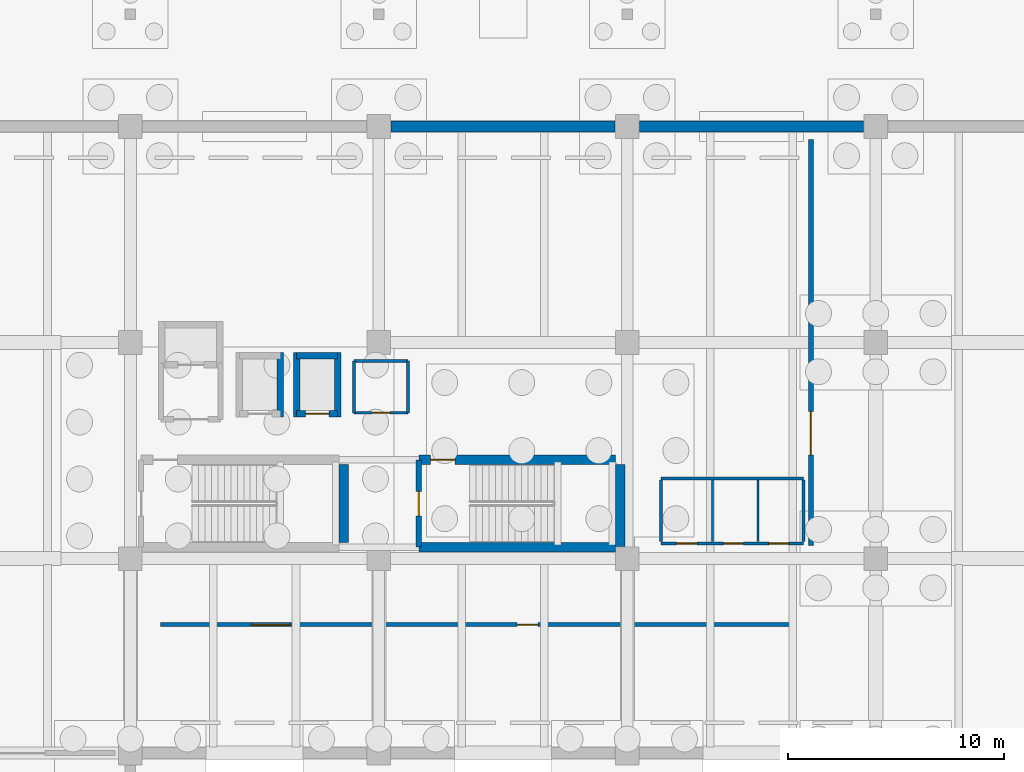
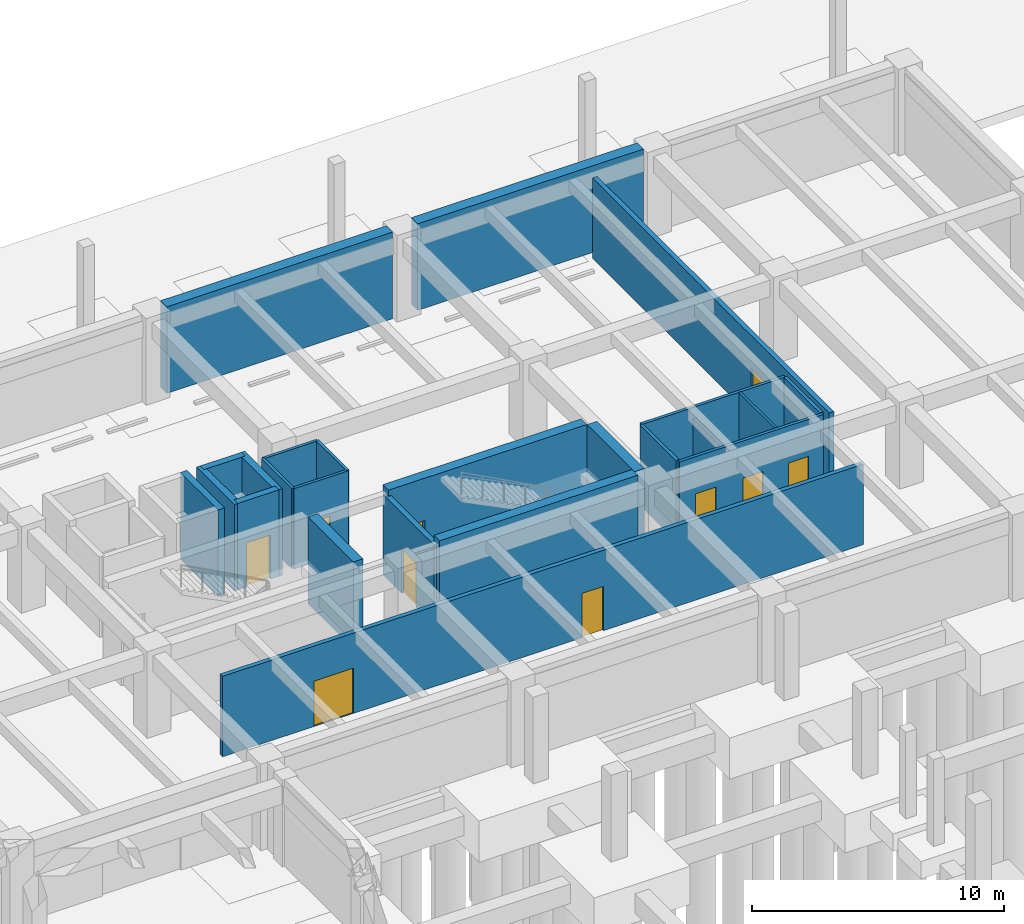
# One storey, part 20 of 28: 24 walls, 10 doors, 10 openings.
"""IFC4 building model written with IfcOpenShell, lengths in metres."""

from ifc_helpers import new_model, si_unit, direction, frame, frame_2d, origin, place, context, subcontext, project, spatial, rectangle, extrude, material, layer, layer_set, type_object, element, fill, save


model = new_model("IFC4")

# Units and contexts
model_context = context("Model", 3, precision=1e-05, world=origin(), true_north=direction((0.0, 1.0)))
body_context = subcontext(model_context, "Body", "Model", "MODEL_VIEW")
ifc_project = project(units=[si_unit("LENGTHUNIT", "METRE"), si_unit("AREAUNIT", "SQUARE_METRE"), si_unit("VOLUMEUNIT", "CUBIC_METRE"), si_unit("PLANEANGLEUNIT", "RADIAN"), si_unit("MASSUNIT", "GRAM", prefix="KILO")], contexts=[model_context])

# Site, building, storey
site_placement = place(None, origin())
site = spatial("IfcSite", under=ifc_project, at=site_placement, CompositionType="ELEMENT")
building_placement = place(site_placement, origin())
building = spatial("IfcBuilding", under=site, at=building_placement, Name="Ologun Quay Terminus", CompositionType="ELEMENT")
storey_placement = place(building_placement, frame((0.0, 0.0, -8.39990234375)))
storey = spatial("IfcBuildingStorey", under=building, at=storey_placement, Name="B02", CompositionType="ELEMENT", Elevation=-8.39990234375)

# Walls
ifc_material_1 = material(Name="Concrete C35/45", Category="concrete")
ifc_layer_1 = layer(ifc_material_1, 0.5)
ifc_layer_set_1 = layer_set([ifc_layer_1], Name="Concrete C35/45")
wall_type_1 = type_object("IfcWallType", Name="Basement Perimeter Retaining Wall 500", PredefinedType="SHEAR", material=ifc_layer_set_1)
for number, where, z_axis, x_axis, name in (
    (1, (35.070068359375, 114.800048828125, 0.0), (0.0, 0.0, 1.0), (1.0, 0.0, 0.0), "Retaining Wall NW-4 B02"),
    (2, (46.570068359375, 114.800048828125, 0.0), (0.0, 0.0, 1.0), (1.0, 0.0, 0.0), "Retaining Wall NW-5 B02"),
):
    element("IfcWall", number, at=place(storey_placement, frame(where, z_axis=z_axis, x_axis=x_axis)), inside=storey, type_object=wall_type_1, Name=name, PredefinedType="SHEAR", context=body_context, shape_type="SweptSolid", body=[
        extrude(rectangle(XDim=10.35986328125, YDim=0.5, at=frame_2d((5.179931640625, 0.0))), origin(), (0.0, 0.0, 1.0), 4.199951171875),
    ])

# Wall, openings, doors
ifc_material_2 = material(Name="Concrete C40/50", Category="concrete")
ifc_layer_2 = layer(ifc_material_2, 0.199951171875)
ifc_layer_set_2 = layer_set([ifc_layer_2], Name="Concrete C40/50")
wall_type_2 = type_object("IfcWallType", Name="Corridor Fire-Rated Partition 200", PredefinedType="PARTITIONING", material=ifc_layer_set_2)
wall_1_placement = place(storey_placement, frame((24.39990234375, 91.75, 0.0), z_axis=(0.0, 0.0, 1.0), x_axis=(1.0, 0.0, 0.0)))
wall_1 = element("IfcWall", 3, at=wall_1_placement, inside=storey, type_object=wall_type_2, Name="PW-02 Partition WCor-S", PredefinedType="PARTITIONING", context=body_context, shape_type="SweptSolid", body=[
    extrude(rectangle(XDim=29.400146484375, YDim=0.199951171875, at=frame_2d((14.7001953125, 0.0))), origin(), (0.0, 0.0, 1.0), 3.89990234375),
])
opening_1_placement = place(wall_1_placement, frame((4.199951171875, 0.0, 0.0)))
opening_1 = element("IfcOpeningElement", 4, at=opening_1_placement, cuts=wall_1, Name="Opening ID-075", PredefinedType="OPENING", context=body_context, shape_type="SweptSolid", body=[
    extrude(rectangle(XDim=1.800048828125, YDim=2.199951171875, at=frame_2d((0.89990234375, 1.10009765625))), frame((0.0, 0.10986328125, 0.0), z_axis=(0.0, -1.0, 0.0), x_axis=(1.0, 0.0, 0.0)), (0.0, 0.0, 1.0), 0.219970703125),
])
opening_2_placement = place(wall_1_placement, frame((16.5, 0.0, 0.0)))
opening_2 = element("IfcOpeningElement", 5, at=opening_2_placement, cuts=wall_1, Name="Opening ID-076", PredefinedType="OPENING", context=body_context, shape_type="SweptSolid", body=[
    extrude(rectangle(XDim=0.97998046875, YDim=2.14990234375, at=frame_2d((0.489990234375, 1.074951171875))), frame((0.0, 0.10986328125, 0.0), z_axis=(0.0, -1.0, 0.0), x_axis=(1.0, 0.0, 0.0)), (0.0, 0.0, 1.0), 0.219970703125),
])
ifc_material_3 = material(Name="Steel S355", Category="steel")
door_type_1 = type_object("IfcDoorType", Name="Corridor Compartment Pair 1800x2200", OperationType="DOUBLE_DOOR_SINGLE_SWING", PredefinedType="DOOR", material=ifc_material_3)
door_1_placement = place(opening_1_placement, origin())
door_1 = element("IfcDoor", 6, at=door_1_placement, inside=storey, type_object=door_type_1, Name="FD-03 Door ID-075", OperationType="DOUBLE_DOOR_SINGLE_SWING", OverallHeight=2.199951171875, OverallWidth=1.800048828125, PredefinedType="DOOR", context=body_context, shape_type="SweptSolid", body=[
    extrude(rectangle(XDim=1.800048828125, YDim=2.199951171875, at=frame_2d((0.89990234375, 1.10009765625))), frame((0.0, 0.02490234375, 0.0), z_axis=(0.0, -1.0, 0.0), x_axis=(1.0, 0.0, 0.0)), (0.0, 0.0, 1.0), 0.050048828125),
])
fill(opening_1, door_1)
ifc_material_4 = material(Name="Timber Hardwood", Category="wood")
door_type_2 = type_object("IfcDoorType", Name="Operations Room Acoustic Leaf 980x2150", OperationType="SINGLE_SWING_LEFT", PredefinedType="DOOR", material=ifc_material_4)
door_2_placement = place(opening_2_placement, origin())
door_2 = element("IfcDoor", 7, at=door_2_placement, inside=storey, type_object=door_type_2, Name="ID-01 Door ID-076", OperationType="SINGLE_SWING_LEFT", OverallHeight=2.14990234375, OverallWidth=0.97998046875, PredefinedType="DOOR", context=body_context, shape_type="SweptSolid", body=[
    extrude(rectangle(XDim=0.97998046875, YDim=2.14990234375, at=frame_2d((0.489990234375, 1.074951171875))), frame((0.0, 0.02490234375, 0.0), z_axis=(0.0, -1.0, 0.0), x_axis=(1.0, 0.0, 0.0)), (0.0, 0.0, 1.0), 0.050048828125),
])
fill(opening_2, door_2)

# Walls
ifc_material_5 = material(Name="Concrete C45/55", Category="concrete")
ifc_layer_3 = layer(ifc_material_5, 0.449951171875)
ifc_layer_set_3 = layer_set([ifc_layer_3], Name="Concrete C45/55")
wall_type_3 = type_object("IfcWallType", Name="Coupled Wing Primary Core Shear Wall 450", PredefinedType="SHEAR", material=ifc_layer_set_3)
wall_2_placement = place(storey_placement, frame((32.875, 95.550048828125, 0.0), z_axis=(0.0, 0.0, 1.0), x_axis=(0.0, 1.0, 0.0)))
element("IfcWall", 8, at=wall_2_placement, inside=storey, type_object=wall_type_3, Name="WC1 Core East Shear Wall B02", PredefinedType="SHEAR", context=body_context, shape_type="SweptSolid", body=[
    extrude(rectangle(XDim=3.599853515625, YDim=0.449951171875, at=frame_2d((1.7998046875, 0.0))), origin(), (0.0, 0.0, 1.0), 4.199951171875),
])
wall_3_placement = place(storey_placement, frame((36.35009765625, 95.324951171875, 0.0), z_axis=(0.0, 0.0, 1.0), x_axis=(1.0, 0.0, 0.0)))
element("IfcWall", 9, at=wall_3_placement, inside=storey, type_object=wall_type_3, Name="WC2 Core South Shear Wall B02", PredefinedType="SHEAR", context=body_context, shape_type="SweptSolid", body=[
    extrude(rectangle(XDim=9.099853515625, YDim=0.449951171875, at=frame_2d((4.5498046875, 0.0))), origin(), (0.0, 0.0, 1.0), 4.199951171875),
])

# Wall, opening, door
wall_4_placement = place(storey_placement, frame((36.35009765625, 99.375, 0.0), z_axis=(0.0, 0.0, 1.0), x_axis=(1.0, 0.0, 0.0)))
wall_4 = element("IfcWall", 10, at=wall_4_placement, inside=storey, type_object=wall_type_3, Name="WC2 Core North Shear Wall B02", PredefinedType="SHEAR", context=body_context, shape_type="SweptSolid", body=[
    extrude(rectangle(XDim=9.099853515625, YDim=0.449951171875, at=frame_2d((4.5498046875, 0.0))), origin(), (0.0, 0.0, 1.0), 4.199951171875),
])
opening_3_placement = place(wall_4_placement, frame((0.550048828125, 0.0, 0.0)))
opening_3 = element("IfcOpeningElement", 11, at=opening_3_placement, cuts=wall_4, Name="Opening ID-069", PredefinedType="OPENING", context=body_context, shape_type="SweptSolid", body=[
    extrude(rectangle(XDim=1.1298828125, YDim=2.14990234375, at=frame_2d((0.56494140625, 1.074951171875))), frame((0.0, 0.23486328125, 0.0), z_axis=(0.0, -1.0, 0.0), x_axis=(1.0, 0.0, 0.0)), (0.0, 0.0, 1.0), 0.469970703125),
])
ifc_material_6 = material(Name="Steel S355", Category="steel")
door_type_3 = type_object("IfcDoorType", Name="Stairwell Fire Escape Door 1130x2150", OperationType="SINGLE_SWING_LEFT", PredefinedType="DOOR", material=ifc_material_6)
door_3_placement = place(opening_3_placement, frame((0.56494140625, 0.0, 0.0), z_axis=(0.0, 0.0, 1.0), x_axis=(-1.0, 0.0, 0.0)))
door_3 = element("IfcDoor", 12, at=door_3_placement, inside=storey, type_object=door_type_3, Name="FD-01 Door ID-069", OperationType="SINGLE_SWING_LEFT", OverallHeight=2.14990234375, OverallWidth=1.1298828125, PredefinedType="DOOR", context=body_context, shape_type="SweptSolid", body=[
    extrude(rectangle(XDim=1.1298828125, YDim=2.14990234375, at=frame_2d((0.0, 1.074951171875))), frame((0.0, 0.02490234375, 0.0), z_axis=(0.0, -1.0, 0.0), x_axis=(1.0, 0.0, 0.0)), (0.0, 0.0, 1.0), 0.050048828125),
])
fill(opening_3, door_3)

# Wall
wall_5_placement = place(storey_placement, frame((45.675048828125, 95.3701171875, 0.0), z_axis=(0.0, 0.0, 1.0), x_axis=(0.0, 1.0, 0.0)))
element("IfcWall", 13, at=wall_5_placement, inside=storey, type_object=wall_type_3, Name="WC2 Core East Shear Wall B02", PredefinedType="SHEAR", context=body_context, shape_type="SweptSolid", body=[
    extrude(rectangle(XDim=3.77978515625, YDim=0.449951171875, at=frame_2d((1.889892578125, 0.0))), origin(), (0.0, 0.0, 1.0), 4.199951171875),
])

# Wall, opening, door
ifc_material_7 = material(Name="Concrete C40/50", Category="concrete")
ifc_layer_4 = layer(ifc_material_7, 0.239990234375)
ifc_layer_set_4 = layer_set([ifc_layer_4], Name="Concrete C40/50")
wall_type_4 = type_object("IfcWallType", Name="Fire Compartment Blockwork Wall 240", PredefinedType="SOLIDWALL", material=ifc_layer_set_4)
wall_6_placement = place(storey_placement, frame((36.35009765625, 95.330078125, 0.0), z_axis=(0.0, 0.0, 1.0), x_axis=(0.0, 1.0, 0.0)))
wall_6 = element("IfcWall", 14, at=wall_6_placement, inside=storey, type_object=wall_type_4, Name="PW-01 Partition WStair2-W", PredefinedType="SOLIDWALL", context=body_context, shape_type="SweptSolid", body=[
    extrude(rectangle(XDim=4.0400390625, YDim=0.239990234375, at=frame_2d((2.02001953125, 0.0))), origin(), (0.0, 0.0, 1.0), 3.89990234375),
])
opening_4_placement = place(wall_6_placement, frame((1.449951171875, 0.0, 0.0)))
opening_4 = element("IfcOpeningElement", 15, at=opening_4_placement, cuts=wall_6, Name="Opening ID-068", PredefinedType="OPENING", context=body_context, shape_type="SweptSolid", body=[
    extrude(rectangle(XDim=1.1298828125, YDim=2.14990234375, at=frame_2d((0.56494140625, 1.074951171875))), frame((0.0, 0.1298828125, 0.0), z_axis=(0.0, -1.0, 0.0), x_axis=(1.0, 0.0, 0.0)), (0.0, 0.0, 1.0), 0.260009765625),
])
door_4_placement = place(opening_4_placement, frame((0.56494140625, 0.0, 0.0), z_axis=(0.0, 0.0, 1.0), x_axis=(-1.0, 0.0, 0.0)))
door_4 = element("IfcDoor", 16, at=door_4_placement, inside=storey, type_object=door_type_3, Name="FD-01 Door ID-068", OperationType="SINGLE_SWING_LEFT", OverallHeight=2.14990234375, OverallWidth=1.1298828125, PredefinedType="DOOR", context=body_context, shape_type="SweptSolid", body=[
    extrude(rectangle(XDim=1.1298828125, YDim=2.14990234375, at=frame_2d((0.0, 1.074951171875))), frame((0.0, 0.02490234375, 0.0), z_axis=(0.0, -1.0, 0.0), x_axis=(1.0, 0.0, 0.0)), (0.0, 0.0, 1.0), 0.050048828125),
])
fill(opening_4, door_4)

# Wall
ifc_material_8 = material(Name="Concrete C40/50", Category="concrete")
ifc_layer_5 = layer(ifc_material_8, 0.300048828125)
ifc_layer_set_5 = layer_set([ifc_layer_5], Name="Concrete C40/50")
wall_type_5 = type_object("IfcWallType", Name="Lift Shaft Structural Shear Wall 300", PredefinedType="SHEAR", material=ifc_layer_set_5)
wall_7_placement = place(storey_placement, frame((29.949951171875, 101.35009765625, 0.0), z_axis=(0.0, 0.0, 1.0), x_axis=(0.0, 1.0, 0.0)))
element("IfcWall", 17, at=wall_7_placement, inside=storey, type_object=wall_type_5, Name="Lift PL-W1 Shaft Wall E B02", PredefinedType="SHEAR", context=body_context, shape_type="SweptSolid", body=[
    extrude(rectangle(XDim=3.0, YDim=0.300048828125, at=frame_2d((1.5, 0.0))), origin(), (0.0, 0.0, 1.0), 4.199951171875),
])

# Wall, opening, door
wall_8_placement = place(storey_placement, frame((30.699951171875, 101.5, 0.0), z_axis=(0.0, 0.0, 1.0), x_axis=(1.0, 0.0, 0.0)))
wall_8 = element("IfcWall", 18, at=wall_8_placement, inside=storey, type_object=wall_type_5, Name="Lift PL-W2 Shaft Wall S B02", PredefinedType="SHEAR", context=body_context, shape_type="SweptSolid", body=[
    extrude(rectangle(XDim=1.900146484375, YDim=0.300048828125, at=frame_2d((0.9501953125, 0.0))), origin(), (0.0, 0.0, 1.0), 4.199951171875),
])
opening_5_placement = place(wall_8_placement, frame((0.39990234375, 0.0, 0.0)))
opening_5 = element("IfcOpeningElement", 19, at=opening_5_placement, cuts=wall_8, Name="Opening ID-023", PredefinedType="OPENING", context=body_context, shape_type="SweptSolid", body=[
    extrude(rectangle(XDim=1.10009765625, YDim=2.14990234375, at=frame_2d((0.550048828125, 1.074951171875))), frame((0.0, 0.16015625, 0.0), z_axis=(0.0, -1.0, 0.0), x_axis=(1.0, 0.0, 0.0)), (0.0, 0.0, 1.0), 0.320068359375),
])
ifc_material_9 = material(Name="Steel S355", Category="steel")
door_type_4 = type_object("IfcDoorType", Name="Lift Landing Sliding Door 1100x2150", OperationType="SLIDING_TO_LEFT", PredefinedType="DOOR", material=ifc_material_9)
door_5_placement = place(opening_5_placement, origin())
door_5 = element("IfcDoor", 20, at=door_5_placement, inside=storey, type_object=door_type_4, Name="LD-01 Door ID-023", OperationType="SLIDING_TO_LEFT", OverallHeight=2.14990234375, OverallWidth=1.10009765625, PredefinedType="DOOR", context=body_context, shape_type="SweptSolid", body=[
    extrude(rectangle(XDim=1.10009765625, YDim=2.14990234375, at=frame_2d((0.550048828125, 1.074951171875))), frame((0.0, 0.02490234375, 0.0), z_axis=(0.0, -1.0, 0.0), x_axis=(1.0, 0.0, 0.0)), (0.0, 0.0, 1.0), 0.050048828125),
])
fill(opening_5, door_5)

# Walls
wall_9_placement = place(storey_placement, frame((30.699951171875, 104.199951171875, 0.0), z_axis=(0.0, 0.0, 1.0), x_axis=(1.0, 0.0, 0.0)))
element("IfcWall", 21, at=wall_9_placement, inside=storey, type_object=wall_type_5, Name="Lift PL-W2 Shaft Wall N B02", PredefinedType="SHEAR", context=body_context, shape_type="SweptSolid", body=[
    extrude(rectangle(XDim=1.900146484375, YDim=0.300048828125, at=frame_2d((0.9501953125, 0.0))), origin(), (0.0, 0.0, 1.0), 4.199951171875),
])
for number, where, z_axis, x_axis, name in (
    (22, (30.699951171875, 101.35009765625, 0.0), (0.0, 0.0, 1.0), (0.0, 1.0, 0.0), "Lift PL-W2 Shaft Wall W B02"),
    (23, (32.60009765625, 101.35009765625, 0.0), (0.0, 0.0, 1.0), (0.0, 1.0, 0.0), "Lift PL-W2 Shaft Wall E B02"),
):
    element("IfcWall", number, at=place(storey_placement, frame(where, z_axis=z_axis, x_axis=x_axis)), inside=storey, type_object=wall_type_5, Name=name, PredefinedType="SHEAR", context=body_context, shape_type="SweptSolid", body=[
        extrude(rectangle(XDim=3.0, YDim=0.300048828125, at=frame_2d((1.5, 0.0))), origin(), (0.0, 0.0, 1.0), 4.199951171875),
    ])
ifc_material_10 = material(Name="Gypsum Acoustic Stud")
ifc_layer_6 = layer(ifc_material_10, 0.10498046875)
ifc_layer_set_6 = layer_set([ifc_layer_6], Name="Gypsum Acoustic Stud")
wall_type_6 = type_object("IfcWallType", Name="Light Cubicle Partition 105", PredefinedType="PARTITIONING", material=ifc_layer_set_6)
wall_10_placement = place(storey_placement, frame((49.949951171875, 95.60009765625, 0.0), z_axis=(0.0, 0.0, 1.0), x_axis=(0.0, 1.0, 0.0)))
element("IfcWall", 24, at=wall_10_placement, inside=storey, type_object=wall_type_6, Name="PW-13 Partition WWC-D1", PredefinedType="PARTITIONING", context=body_context, shape_type="SweptSolid", body=[
    extrude(rectangle(XDim=2.849853515625, YDim=0.10498046875, at=frame_2d((1.4248046875, 0.0))), origin(), (0.0, 0.0, 1.0), 3.369873046875),
])
wall_11_placement = place(storey_placement, frame((52.050048828125, 95.60009765625, 0.0), z_axis=(0.0, 0.0, 1.0), x_axis=(0.0, 1.0, 0.0)))
element("IfcWall", 25, at=wall_11_placement, inside=storey, type_object=wall_type_6, Name="PW-13 Partition WWC-D2", PredefinedType="PARTITIONING", context=body_context, shape_type="SweptSolid", body=[
    extrude(rectangle(XDim=2.849853515625, YDim=0.10498046875, at=frame_2d((1.4248046875, 0.0))), origin(), (0.0, 0.0, 1.0), 3.89990234375),
])

# Wall, opening, door
ifc_material_11 = material(Name="Concrete C40/50", Category="concrete")
ifc_layer_7 = layer(ifc_material_11, 0.219970703125)
ifc_layer_set_7 = layer_set([ifc_layer_7], Name="Concrete C40/50")
wall_type_7 = type_object("IfcWallType", Name="Plant & Substation Acoustic Wall 220", PredefinedType="SOLIDWALL", material=ifc_layer_set_7)
wall_12_placement = place(storey_placement, frame((54.5, 95.39990234375, 0.0), z_axis=(0.0, 0.0, 1.0), x_axis=(0.0, 1.0, 0.0)))
wall_12 = element("IfcWall", 26, at=wall_12_placement, inside=storey, type_object=wall_type_7, Name="PW-08 Partition B02-Tank-W", PredefinedType="SOLIDWALL", context=body_context, shape_type="SweptSolid", body=[
    extrude(rectangle(XDim=18.800048828125, YDim=0.219970703125, at=frame_2d((9.39990234375, 0.0))), origin(), (0.0, 0.0, 1.0), 3.89990234375),
])
opening_6_placement = place(wall_12_placement, frame((4.199951171875, 0.0, 0.0)))
opening_6 = element("IfcOpeningElement", 27, at=opening_6_placement, cuts=wall_12, Name="Opening ID-288", PredefinedType="OPENING", context=body_context, shape_type="SweptSolid", body=[
    extrude(rectangle(XDim=2.0, YDim=2.300048828125, at=frame_2d((1.0, 1.14990234375))), frame((0.0, 0.1201171875, 0.0), z_axis=(0.0, -1.0, 0.0), x_axis=(1.0, 0.0, 0.0)), (0.0, 0.0, 1.0), 0.239990234375),
])
ifc_material_12 = material(Name="Steel S355", Category="steel")
door_type_5 = type_object("IfcDoorType", Name="Plant Room Heavy Fire Pair 2000x2300", OperationType="DOUBLE_DOOR_SINGLE_SWING", PredefinedType="DOOR", material=ifc_material_12)
door_6_placement = place(opening_6_placement, origin())
door_6 = element("IfcDoor", 28, at=door_6_placement, inside=storey, type_object=door_type_5, Name="FD-04 Door ID-288", OperationType="DOUBLE_DOOR_SINGLE_SWING", OverallHeight=2.300048828125, OverallWidth=2.0, PredefinedType="DOOR", context=body_context, shape_type="SweptSolid", body=[
    extrude(rectangle(XDim=2.0, YDim=2.300048828125, at=frame_2d((1.0, 1.14990234375))), frame((0.0, 0.02490234375, 0.0), z_axis=(0.0, -1.0, 0.0), x_axis=(1.0, 0.0, 0.0)), (0.0, 0.0, 1.0), 0.050048828125),
])
fill(opening_6, door_6)

ifc_material_13 = material(Name="Concrete C40/50", Category="concrete")
ifc_layer_8 = layer(ifc_material_13, 0.1298828125)
ifc_layer_set_8 = layer_set([ifc_layer_8], Name="Concrete C40/50")
wall_type_8 = type_object("IfcWallType", Name="Riser & Service Duct Wall 130", PredefinedType="PLUMBINGWALL", material=ifc_layer_set_8)
wall_13_placement = place(storey_placement, frame((33.35009765625, 101.550048828125, 0.0), z_axis=(0.0, 0.0, 1.0), x_axis=(1.0, 0.0, 0.0)))
wall_13 = element("IfcWall", 29, at=wall_13_placement, inside=storey, type_object=wall_type_8, Name="PW-07 Partition WRiser-S", PredefinedType="PLUMBINGWALL", context=body_context, shape_type="SweptSolid", body=[
    extrude(rectangle(XDim=2.5, YDim=0.1298828125, at=frame_2d((1.25, 0.0))), origin(), (0.0, 0.0, 1.0), 3.89990234375),
])
opening_7_placement = place(wall_13_placement, frame((0.820068359375, 0.0, 0.0)))
opening_7 = element("IfcOpeningElement", 30, at=opening_7_placement, cuts=wall_13, Name="Opening ID-071", PredefinedType="OPENING", context=body_context, shape_type="SweptSolid", body=[
    extrude(rectangle(XDim=0.85009765625, YDim=2.0, at=frame_2d((0.425048828125, 1.0))), frame((0.0, 0.074951171875, 0.0), z_axis=(0.0, -1.0, 0.0), x_axis=(1.0, 0.0, 0.0)), (0.0, 0.0, 1.0), 0.14990234375),
])
ifc_material_14 = material(Name="Steel S355", Category="steel")
door_type_6 = type_object("IfcDoorType", Name="MEP Riser Access Trapdoor 850x2000", OperationType="SINGLE_SWING_LEFT", PredefinedType="TRAPDOOR", material=ifc_material_14)
door_7_placement = place(opening_7_placement, origin())
door_7 = element("IfcDoor", 31, at=door_7_placement, inside=storey, type_object=door_type_6, Name="RD-01 Door ID-071", OperationType="SINGLE_SWING_LEFT", OverallHeight=2.0, OverallWidth=0.85009765625, PredefinedType="TRAPDOOR", context=body_context, shape_type="SweptSolid", body=[
    extrude(rectangle(XDim=0.85009765625, YDim=2.0, at=frame_2d((0.425048828125, 1.0))), frame((0.0, 0.02490234375, 0.0), z_axis=(0.0, -1.0, 0.0), x_axis=(1.0, 0.0, 0.0)), (0.0, 0.0, 1.0), 0.050048828125),
])
fill(opening_7, door_7)

# Walls
for number, where, z_axis, x_axis, name in (
    (32, (33.35009765625, 101.550048828125, 0.0), (0.0, 0.0, 1.0), (0.0, 1.0, 0.0), "PW-07 Partition WRiser-W"),
    (33, (35.85009765625, 101.550048828125, 0.0), (0.0, 0.0, 1.0), (0.0, 1.0, 0.0), "PW-07 Partition WRiser-E"),
):
    element("IfcWall", number, at=place(storey_placement, frame(where, z_axis=z_axis, x_axis=x_axis)), inside=storey, type_object=wall_type_8, Name=name, PredefinedType="PLUMBINGWALL", context=body_context, shape_type="SweptSolid", body=[
        extrude(rectangle(XDim=2.39990234375, YDim=0.1298828125, at=frame_2d((1.199951171875, 0.0))), origin(), (0.0, 0.0, 1.0), 3.89990234375),
    ])
wall_14_placement = place(storey_placement, frame((33.35009765625, 103.949951171875, 0.0), z_axis=(0.0, 0.0, 1.0), x_axis=(1.0, 0.0, 0.0)))
element("IfcWall", 34, at=wall_14_placement, inside=storey, type_object=wall_type_8, Name="PW-07 Partition WRiser-N", PredefinedType="PLUMBINGWALL", context=body_context, shape_type="SweptSolid", body=[
    extrude(rectangle(XDim=2.5, YDim=0.1298828125, at=frame_2d((1.25, 0.0))), origin(), (0.0, 0.0, 1.0), 3.89990234375),
])

# Wall, openings, doors
ifc_material_15 = material(Name="Concrete C40/50", Category="concrete")
ifc_layer_9 = layer(ifc_material_15, 0.139892578125)
ifc_layer_set_9 = layer_set([ifc_layer_9], Name="Concrete C40/50")
wall_type_9 = type_object("IfcWallType", Name="Sanitary Wet-Area Blockwork Wall 140", PredefinedType="PLUMBINGWALL", material=ifc_layer_set_9)
wall_15_placement = place(storey_placement, frame((47.550048828125, 95.5, 0.0), z_axis=(0.0, 0.0, 1.0), x_axis=(1.0, 0.0, 0.0)))
wall_15 = element("IfcWall", 35, at=wall_15_placement, inside=storey, type_object=wall_type_9, Name="PW-06 Partition WWC-S", PredefinedType="PLUMBINGWALL", context=body_context, shape_type="SweptSolid", body=[
    extrude(rectangle(XDim=6.599853515625, YDim=0.139892578125, at=frame_2d((3.2998046875, 0.0))), origin(), (0.0, 0.0, 1.0), 3.89990234375),
])
opening_8_placement = place(wall_15_placement, frame((0.719970703125, 0.0, 0.0)))
opening_8 = element("IfcOpeningElement", 36, at=opening_8_placement, cuts=wall_15, Name="Opening ID-072", PredefinedType="OPENING", context=body_context, shape_type="SweptSolid", body=[
    extrude(rectangle(XDim=0.949951171875, YDim=2.10009765625, at=frame_2d((0.47509765625, 1.050048828125))), frame((0.0, 0.080078125, 0.0), z_axis=(0.0, -1.0, 0.0), x_axis=(1.0, 0.0, 0.0)), (0.0, 0.0, 1.0), 0.159912109375),
])
opening_9_placement = place(wall_15_placement, frame((2.89990234375, 0.0, 0.0)))
opening_9 = element("IfcOpeningElement", 37, at=opening_9_placement, cuts=wall_15, Name="Opening ID-073", PredefinedType="OPENING", context=body_context, shape_type="SweptSolid", body=[
    extrude(rectangle(XDim=0.919921875, YDim=2.10009765625, at=frame_2d((0.4599609375, 1.050048828125))), frame((0.0, 0.080078125, 0.0), z_axis=(0.0, -1.0, 0.0), x_axis=(1.0, 0.0, 0.0)), (0.0, 0.0, 1.0), 0.159912109375),
])
opening_10_placement = place(wall_15_placement, frame((5.0, 0.0, 0.0)))
opening_10 = element("IfcOpeningElement", 38, at=opening_10_placement, cuts=wall_15, Name="Opening ID-074", PredefinedType="OPENING", context=body_context, shape_type="SweptSolid", body=[
    extrude(rectangle(XDim=0.919921875, YDim=2.10009765625, at=frame_2d((0.4599609375, 1.050048828125))), frame((0.0, 0.080078125, 0.0), z_axis=(0.0, -1.0, 0.0), x_axis=(1.0, 0.0, 0.0)), (0.0, 0.0, 1.0), 0.159912109375),
])
ifc_material_16 = material(Name="Timber Hardwood", Category="wood")
door_type_7 = type_object("IfcDoorType", Name="Accessible WC Outward-Swing Door 950x2100", OperationType="SINGLE_SWING_LEFT", PredefinedType="DOOR", material=ifc_material_16)
door_8_placement = place(opening_8_placement, frame((0.47509765625, 0.0, 0.0), z_axis=(0.0, 0.0, 1.0), x_axis=(-1.0, 0.0, 0.0)))
door_8 = element("IfcDoor", 39, at=door_8_placement, inside=storey, type_object=door_type_7, Name="ID-04 Door ID-072", OperationType="SINGLE_SWING_LEFT", OverallHeight=2.10009765625, OverallWidth=0.949951171875, PredefinedType="DOOR", context=body_context, shape_type="SweptSolid", body=[
    extrude(rectangle(XDim=0.949951171875, YDim=2.10009765625, at=frame_2d((0.0, 1.050048828125))), frame((0.0, 0.02490234375, 0.0), z_axis=(0.0, -1.0, 0.0), x_axis=(1.0, 0.0, 0.0)), (0.0, 0.0, 1.0), 0.050048828125),
])
fill(opening_8, door_8)
ifc_material_17 = material(Name="Timber Hardwood", Category="wood")
door_type_8 = type_object("IfcDoorType", Name="Sanitary Block Entrance Door 920x2100", OperationType="SINGLE_SWING_RIGHT", PredefinedType="DOOR", material=ifc_material_17)
door_9_placement = place(opening_9_placement, origin())
door_9 = element("IfcDoor", 40, at=door_9_placement, inside=storey, type_object=door_type_8, Name="ID-05 Door ID-073", OperationType="SINGLE_SWING_RIGHT", OverallHeight=2.10009765625, OverallWidth=0.919921875, PredefinedType="DOOR", context=body_context, shape_type="SweptSolid", body=[
    extrude(rectangle(XDim=0.919921875, YDim=2.10009765625, at=frame_2d((0.4599609375, 1.050048828125))), frame((0.0, 0.02490234375, 0.0), z_axis=(0.0, -1.0, 0.0), x_axis=(1.0, 0.0, 0.0)), (0.0, 0.0, 1.0), 0.050048828125),
])
fill(opening_9, door_9)
door_10_placement = place(opening_10_placement, origin())
door_10 = element("IfcDoor", 41, at=door_10_placement, inside=storey, type_object=door_type_8, Name="ID-05 Door ID-074", OperationType="SINGLE_SWING_RIGHT", OverallHeight=2.10009765625, OverallWidth=0.919921875, PredefinedType="DOOR", context=body_context, shape_type="SweptSolid", body=[
    extrude(rectangle(XDim=0.919921875, YDim=2.10009765625, at=frame_2d((0.4599609375, 1.050048828125))), frame((0.0, 0.02490234375, 0.0), z_axis=(0.0, -1.0, 0.0), x_axis=(1.0, 0.0, 0.0)), (0.0, 0.0, 1.0), 0.050048828125),
])
fill(opening_10, door_10)

# Walls
for number, where, z_axis, x_axis, name in (
    (42, (47.550048828125, 95.60009765625, 0.0), (0.0, 0.0, 1.0), (0.0, 1.0, 0.0), "PW-06 Partition WWC-W"),
    (43, (54.14990234375, 95.60009765625, 0.0), (0.0, 0.0, 1.0), (0.0, 1.0, 0.0), "PW-06 Partition WWC-E"),
):
    element("IfcWall", number, at=place(storey_placement, frame(where, z_axis=z_axis, x_axis=x_axis)), inside=storey, type_object=wall_type_9, Name=name, PredefinedType="PLUMBINGWALL", context=body_context, shape_type="SweptSolid", body=[
        extrude(rectangle(XDim=2.849853515625, YDim=0.139892578125, at=frame_2d((1.4248046875, 0.0))), origin(), (0.0, 0.0, 1.0), 3.89990234375),
    ])
wall_16_placement = place(storey_placement, frame((47.550048828125, 98.5, 0.0), z_axis=(0.0, 0.0, 1.0), x_axis=(1.0, 0.0, 0.0)))
element("IfcWall", 44, at=wall_16_placement, inside=storey, type_object=wall_type_9, Name="PW-06 Partition WWC-N", PredefinedType="PLUMBINGWALL", context=body_context, shape_type="SweptSolid", body=[
    extrude(rectangle(XDim=6.599853515625, YDim=0.139892578125, at=frame_2d((3.2998046875, 0.0))), origin(), (0.0, 0.0, 1.0), 3.89990234375),
])

save(model, "model.ifc")
